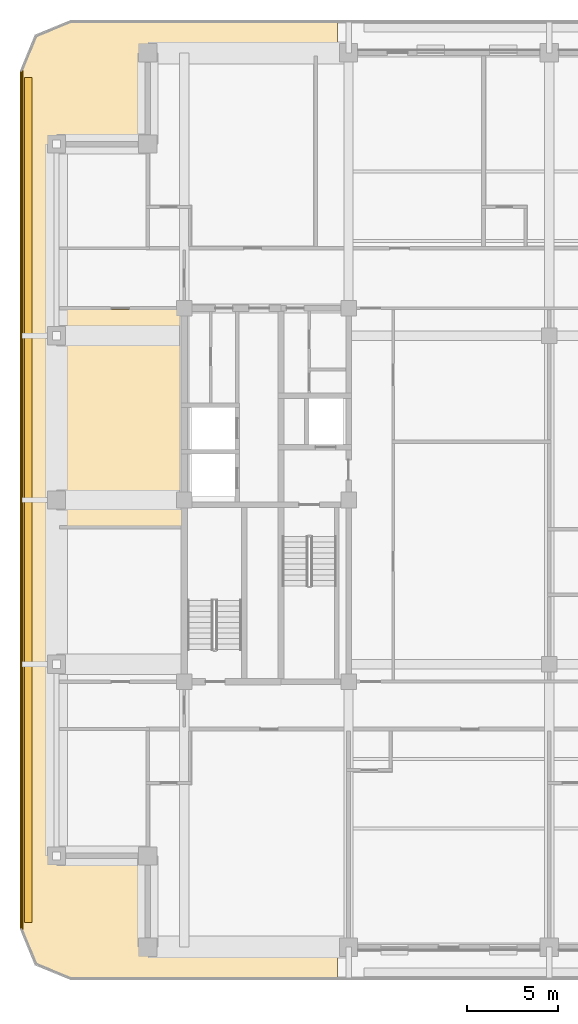
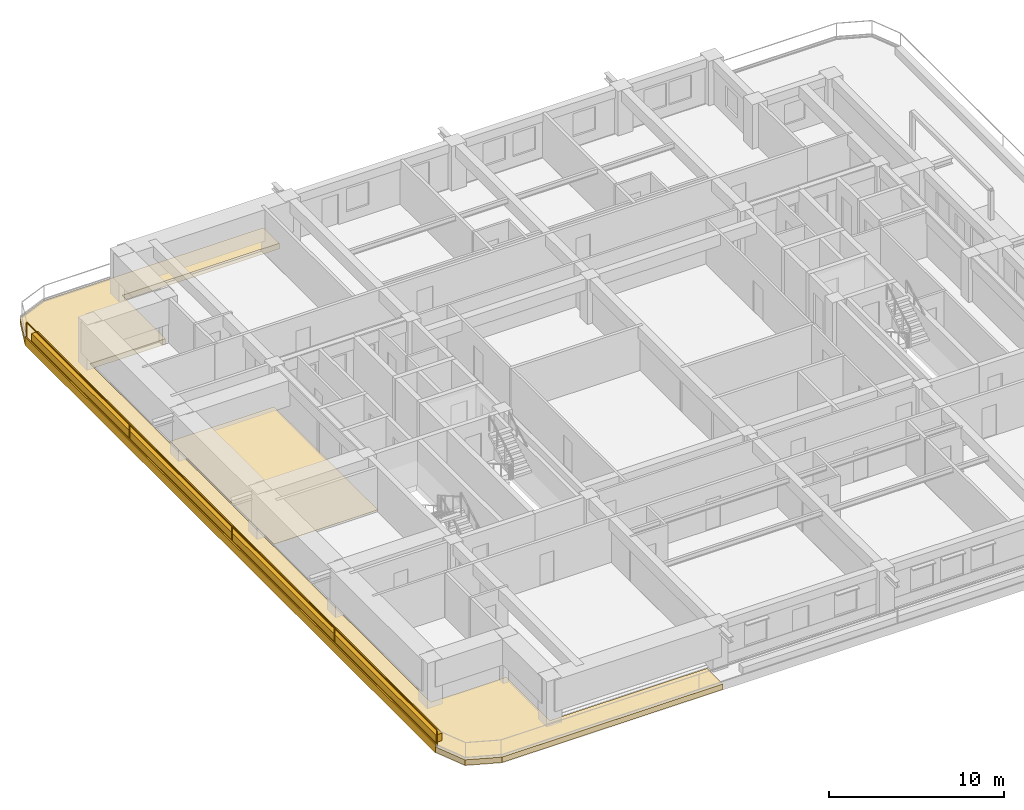
# One storey, part 14 of 18: 4 coverings, 1 railing.
"""IFC4 building model written with IfcOpenShell, lengths in metres."""

from ifc_helpers import new_model, si_unit, direction, frame, frame_2d, origin, origin_2d, place, context, subcontext, project, spatial, polyline, rectangle, outline, extrude, material, layer, layer_set, type_object, element, save


model = new_model("IFC4")

# Units and contexts
model_context = context("Model", 3, precision=1e-05, world=origin(), true_north=direction((0.0, 1.0)))
body_context = subcontext(model_context, "Body", "Model", "MODEL_VIEW")
ifc_project = project(units=[si_unit("LENGTHUNIT", "METRE"), si_unit("AREAUNIT", "SQUARE_METRE"), si_unit("VOLUMEUNIT", "CUBIC_METRE"), si_unit("PLANEANGLEUNIT", "RADIAN"), si_unit("MASSUNIT", "GRAM", prefix="KILO")], contexts=[model_context])

# Site, building, storey
site_placement = place(None, origin())
site = spatial("IfcSite", under=ifc_project, at=site_placement, CompositionType="ELEMENT")
building_placement = place(site_placement, origin())
building = spatial("IfcBuilding", under=site, at=building_placement, Name="Zulmaris Gate Convention Tower", CompositionType="ELEMENT")
storey_placement = place(building_placement, frame((0.0, 0.0, 191.4599609375)))
storey = spatial("IfcBuildingStorey", under=building, at=storey_placement, Name="L49", CompositionType="ELEMENT", Elevation=191.4599609375)

# Coverings
ifc_material_1 = material(Name="White Glazed Architectural Precast Concrete C40/50", Category="concrete")
ifc_layer_1 = layer(ifc_material_1, 0.239990234375, Name="White Glazed Architectural Precast Concrete C40/50")
ifc_layer_set_1 = layer_set([ifc_layer_1], Name="White Glazed Architectural Precast Concrete C40/50")
covering_type_1 = type_object("IfcCoveringType", Name="CLAD-TRAY-DECK", PredefinedType="CLADDING", material=ifc_layer_set_1)
covering_1_placement = place(storey_placement, frame((0.0, 0.0, -0.425048828125)))
element("IfcCovering", 1, at=covering_1_placement, inside=storey, type_object=covering_type_1, Name="L49 West Rounded-Fascia Planter Tray Deck", PredefinedType="CLADDING", context=body_context, shape_type="SweptSolid", body=[
    extrude(outline(polyline([(-29.0, 23.5), (-28.179931640625, 25.47998046875), (-26.199951171875, 26.300048828125), (-11.60205078125, 26.300048828125), (-11.60205078125, 24.5), (-22.0, 24.5), (-22.0, 19.5), (-27.0, 19.5), (-27.0, -19.5), (-22.0, -19.5), (-22.0, -24.5), (-11.60205078125, -24.5), (-11.60205078125, -26.300048828125), (-26.199951171875, -26.300048828125), (-28.179931640625, -25.47998046875), (-29.0, -23.5), (-29.0, 23.5)])), origin(), (0.0, 0.0, 1.0), 0.385009765625),
])
ifc_layer_2 = layer(ifc_material_1, 0.080078125, Name="White Glazed Architectural Precast Concrete C40/50")
ifc_layer_set_2 = layer_set([ifc_layer_2], Name="White Glazed Architectural Precast Concrete C40/50")
covering_type_2 = type_object("IfcCoveringType", Name="CLAD-TRAY-FASCIA", PredefinedType="CLADDING", material=ifc_layer_set_2)
covering_2_placement = place(storey_placement, frame((-28.9599609375, 23.5, -0.46484375), z_axis=(0.0, 0.0, 1.0), x_axis=(0.0, -1.0, 0.0)))
element("IfcCovering", 2, at=covering_2_placement, inside=storey, type_object=covering_type_2, Name="FSC-L49-TR-11", PredefinedType="CLADDING", context=body_context, shape_type="SweptSolid", body=[
    extrude(rectangle(XDim=47.0, YDim=0.080078125, at=frame_2d((23.5, 0.0))), origin(), (0.0, 0.0, 1.0), 0.5849609375),
])
ifc_material_2 = material(Name="Engineered Teak Parquet Flooring")
ifc_layer_3 = layer(ifc_material_2, 0.02001953125, Name="Engineered Teak Parquet Flooring")
ifc_layer_set_3 = layer_set([ifc_layer_3], Name="Engineered Teak Parquet Flooring")
covering_type_3 = type_object("IfcCoveringType", Name="FLR-TIMBER-18", PredefinedType="FLOORING", material=ifc_layer_set_3)
covering_3_placement = place(storey_placement, origin())
element("IfcCovering", 3, at=covering_3_placement, inside=storey, type_object=covering_type_3, Name="FLR-L49-R60", PredefinedType="FLOORING", context=body_context, shape_type="SweptSolid", body=[
    extrude(outline(polyline([(-26.93994140625, -1.43994140625), (-20.06005859375, -1.43994140625), (-20.06005859375, 10.43994140625), (-26.93994140625, 10.43994140625), (-26.93994140625, -1.43994140625)])), origin(), (0.0, 0.0, 1.0), 0.02001953125),
])
ifc_material_3 = material(Name="Botanical Green Glazed Precast Concrete C40/50", Category="concrete")
ifc_layer_4 = layer(ifc_material_3, 0.419921875, Name="Botanical Green Glazed Precast Concrete C40/50")
ifc_layer_set_4 = layer_set([ifc_layer_4], Name="Botanical Green Glazed Precast Concrete C40/50")
covering_type_4 = type_object("IfcCoveringType", Name="PLANTER-BOX-200", PredefinedType="CLADDING", material=ifc_layer_set_4)
covering_4_placement = place(storey_placement, frame((0.0, 0.0, -0.0400390625)))
element("IfcCovering", 4, at=covering_4_placement, inside=storey, type_object=covering_type_4, Name="L49 W Full-Length Balcony Tree Planter Trough", PredefinedType="CLADDING", context=body_context, shape_type="SweptSolid", body=[
    extrude(outline(polyline([(-28.760009765625, -23.14990234375), (-28.340087890625, -23.14990234375), (-28.340087890625, 23.14990234375), (-28.760009765625, 23.14990234375), (-28.760009765625, -23.14990234375)])), origin(), (0.0, 0.0, 1.0), 0.52001953125),
])

# Railing
ifc_material_4 = material(Name="Laminated Glass and Stainless Steel", Category="steel")
railing_type = type_object("IfcRailingType", Name="RL-BALC-1150", PredefinedType="BALUSTRADE", material=ifc_material_4)
railing_placement = place(storey_placement, frame((-28.8798828125, 23.5, -0.0400390625)))
element("IfcRailing", 5, at=railing_placement, inside=storey, type_object=railing_type, Name="RL-L49-BALC-W", PredefinedType="BALUSTRADE", context=body_context, shape_type="SweptSolid", body=[
    extrude(rectangle(XDim=0.048095703125, YDim=0.048095703125, at=origin_2d()), frame((0.0, 0.0, 1.1259765625), z_axis=(0.0, -1.0, 0.0), x_axis=(1.0, 0.0, 0.0)), (0.0, 0.0, 1.0), 47.0),
    extrude(rectangle(XDim=0.048095703125, YDim=0.048095703125, at=origin_2d()), frame((0.0, 0.0, 0.02392578125), z_axis=(0.0, -1.0, 0.0), x_axis=(1.0, 0.0, 0.0)), (0.0, 0.0, 1.0), 47.0),
    extrude(rectangle(XDim=0.0419921875, YDim=0.0419921875, at=origin_2d()), origin(), (0.0, 0.0, 1.0), 1.101806640625),
    extrude(rectangle(XDim=0.0419921875, YDim=0.0419921875, at=origin_2d()), frame((0.0, -11.75, 0.0)), (0.0, 0.0, 1.0), 1.101806640625),
    extrude(rectangle(XDim=0.0419921875, YDim=0.0419921875, at=origin_2d()), frame((0.0, -23.5, 0.0)), (0.0, 0.0, 1.0), 1.101806640625),
    extrude(rectangle(XDim=0.0419921875, YDim=0.0419921875, at=origin_2d()), frame((0.0, -35.25, 0.0)), (0.0, 0.0, 1.0), 1.101806640625),
    extrude(rectangle(XDim=0.0419921875, YDim=0.0419921875, at=origin_2d()), frame((0.0, -47.0, 0.0)), (0.0, 0.0, 1.0), 1.101806640625),
])

save(model, "model.ifc")
